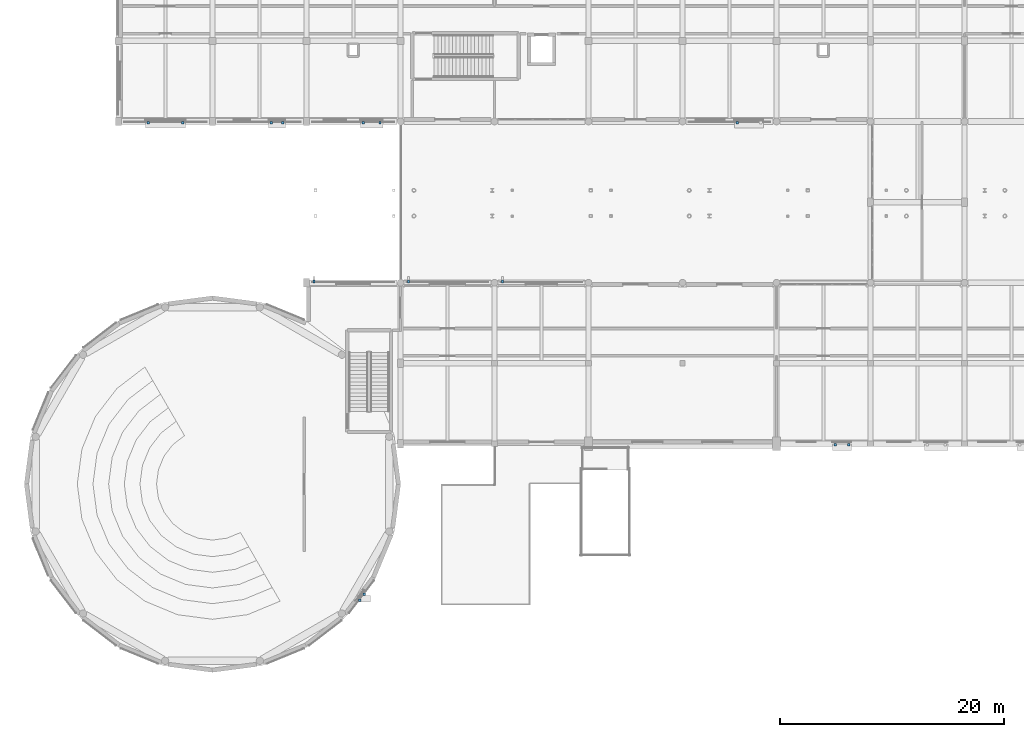
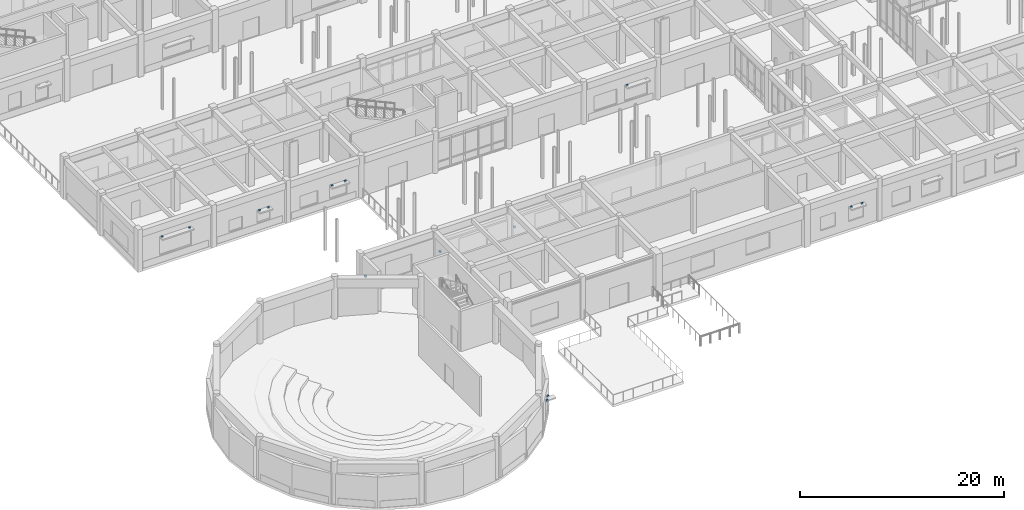
# One storey, part 93 of 121: 14 discrete accessories.
"""IFC4 building model written with IfcOpenShell, lengths in metres."""

from ifc_helpers import new_model, si_unit, direction, frame, origin, origin_2d, place, context, subcontext, project, spatial, rectangle, extrude, material, type_object, element, save


model = new_model("IFC4")

# Units and contexts
model_context = context("Model", 3, precision=1e-05, world=origin(), true_north=direction((0.0, 1.0)))
body_context = subcontext(model_context, "Body", "Model", "MODEL_VIEW")
ifc_project = project(units=[si_unit("LENGTHUNIT", "METRE"), si_unit("AREAUNIT", "SQUARE_METRE"), si_unit("VOLUMEUNIT", "CUBIC_METRE"), si_unit("PLANEANGLEUNIT", "RADIAN"), si_unit("MASSUNIT", "GRAM", prefix="KILO")], contexts=[model_context])

# Site, building, storey
site_placement = place(None, origin())
site = spatial("IfcSite", under=ifc_project, at=site_placement, CompositionType="ELEMENT")
building_placement = place(site_placement, origin())
building = spatial("IfcBuilding", under=site, at=building_placement, Name="Malvenik Polytechnic", CompositionType="ELEMENT")
storey_placement = place(building_placement, origin())
storey = spatial("IfcBuildingStorey", under=building, at=storey_placement, Name="L00", CompositionType="ELEMENT", Elevation=0.0)

# Discrete accessories
ifc_material = material(Name="Stainless steel 1.4401 thermal-break facade bracket", Category="steel")
discrete_accessory_type = type_object("IfcDiscreteAccessoryType", Name="ARC-ACC-BRACKET", PredefinedType="BRACKET", material=ifc_material)
for number, where, z_axis, x_axis, name in (
    (1, (30.37646484375, 8.16796875, 2.740234375), (0.0, 0.0, 1.0), (1.0, 0.0, 0.0), "Sunshade Facade Bracket BK-01 #1.1"),
    (2, (29.9501953125, 7.612548828125, 2.740234375), (0.0, 0.0, 1.0), (1.0, 0.0, 0.0), "Sunshade Facade Bracket BK-01 #1.2"),
):
    element("IfcDiscreteAccessory", number, at=place(storey_placement, frame(where, z_axis=z_axis, x_axis=x_axis)), inside=storey, type_object=discrete_accessory_type, Name=name, PredefinedType="BRACKET", context=body_context, shape_type="SweptSolid", body=[
        extrude(rectangle(XDim=0.219970703125, YDim=0.219970703125, at=origin_2d()), origin(), (0.0, 0.0, 1.0), 0.179931640625),
    ])
for number, where, z_axis, x_axis, name in (
    (3, (25.867919921875, 36.10009765625, 1.75), (0.0, 0.0, 1.0), (1.0, 0.0, 0.0), "Vertical Fin Bracket BK-01 #1"),
    (4, (34.318115234375, 36.10009765625, 1.75), (0.0, 0.0, 1.0), (1.0, 0.0, 0.0), "Vertical Fin Bracket BK-01 #2"),
    (5, (42.718017578125, 36.10009765625, 1.75), (0.0, 0.0, 1.0), (1.0, 0.0, 0.0), "Vertical Fin Bracket BK-01 #3"),
):
    element("IfcDiscreteAccessory", number, at=place(storey_placement, frame(where, z_axis=z_axis, x_axis=x_axis)), inside=storey, type_object=discrete_accessory_type, Name=name, PredefinedType="BRACKET", context=body_context, shape_type="SweptSolid", body=[
        extrude(rectangle(XDim=0.199951171875, YDim=0.239990234375, at=origin_2d()), origin(), (0.0, 0.0, 1.0), 0.199951171875),
    ])
for number, where, z_axis, x_axis, name in (
    (6, (63.68408203125, 50.300048828125, 2.740234375), (0.0, 0.0, 1.0), (1.0, 0.0, 0.0), "Sunshade Facade Bracket BK-01 #2.2"),
    (7, (31.767333984375, 50.300048828125, 2.43994140625), (0.0, 0.0, 1.0), (1.0, 0.0, 0.0), "Sunshade Facade Bracket BK-01 #3.1"),
    (8, (30.267333984375, 50.300048828125, 2.43994140625), (0.0, 0.0, 1.0), (1.0, 0.0, 0.0), "Sunshade Facade Bracket BK-01 #3.2"),
    (9, (23.0673828125, 50.300048828125, 2.33984375), (0.0, 0.0, 1.0), (1.0, 0.0, 0.0), "Sunshade Facade Bracket BK-01 #4.1"),
    (10, (22.0673828125, 50.300048828125, 2.33984375), (0.0, 0.0, 1.0), (1.0, 0.0, 0.0), "Sunshade Facade Bracket BK-01 #4.2"),
    (11, (14.14990234375, 50.300048828125, 3.0400390625), (0.0, 0.0, 1.0), (1.0, 0.0, 0.0), "Sunshade Facade Bracket BK-01 #5.1"),
    (12, (11.050048828125, 50.300048828125, 3.0400390625), (0.0, 0.0, 1.0), (1.0, 0.0, 0.0), "Sunshade Facade Bracket BK-01 #5.2"),
    (13, (73.634033203125, 21.5, 2.58984375), (0.0, 0.0, 1.0), (1.0, 0.0, 0.0), "Sunshade Facade Bracket BK-01 #24.1"),
    (14, (72.43408203125, 21.5, 2.58984375), (0.0, 0.0, 1.0), (1.0, 0.0, 0.0), "Sunshade Facade Bracket BK-01 #24.2"),
):
    element("IfcDiscreteAccessory", number, at=place(storey_placement, frame(where, z_axis=z_axis, x_axis=x_axis)), inside=storey, type_object=discrete_accessory_type, Name=name, PredefinedType="BRACKET", context=body_context, shape_type="SweptSolid", body=[
        extrude(rectangle(XDim=0.219970703125, YDim=0.219970703125, at=origin_2d()), origin(), (0.0, 0.0, 1.0), 0.179931640625),
    ])

save(model, "model.ifc")
